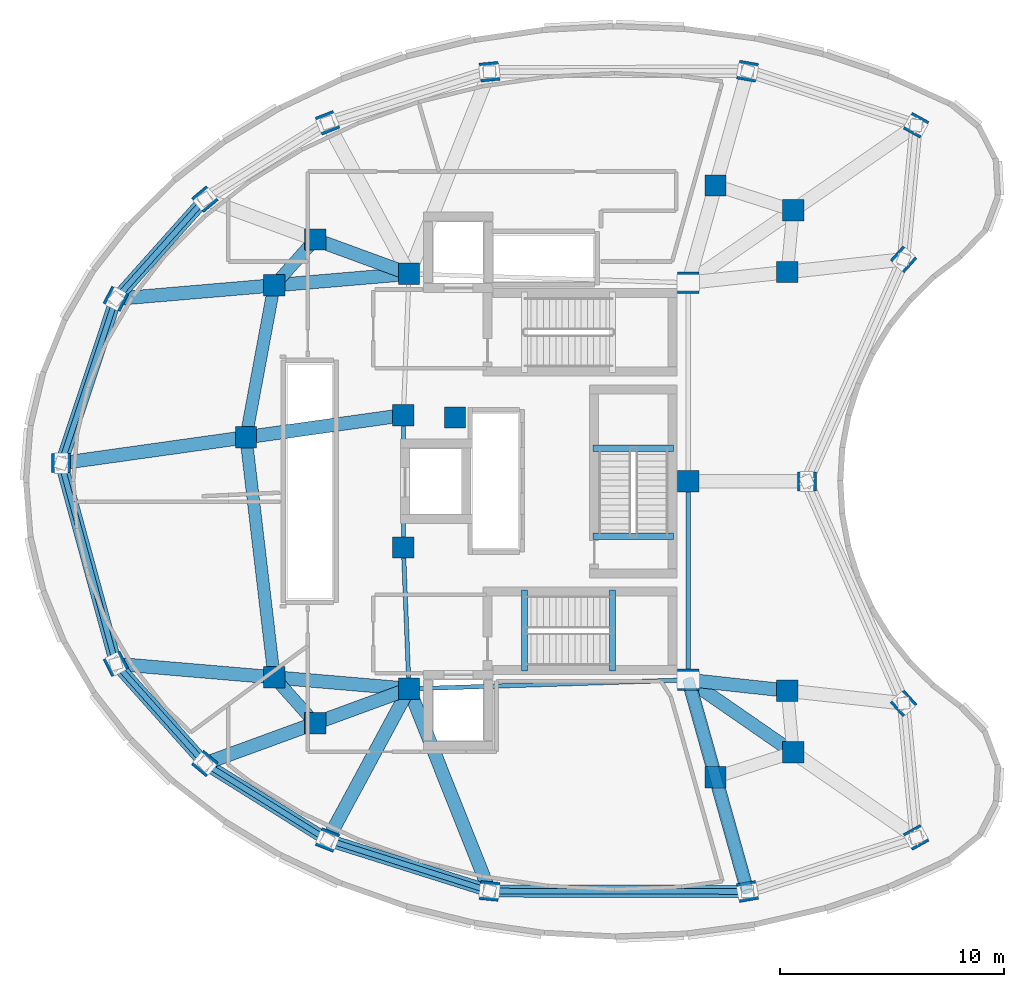
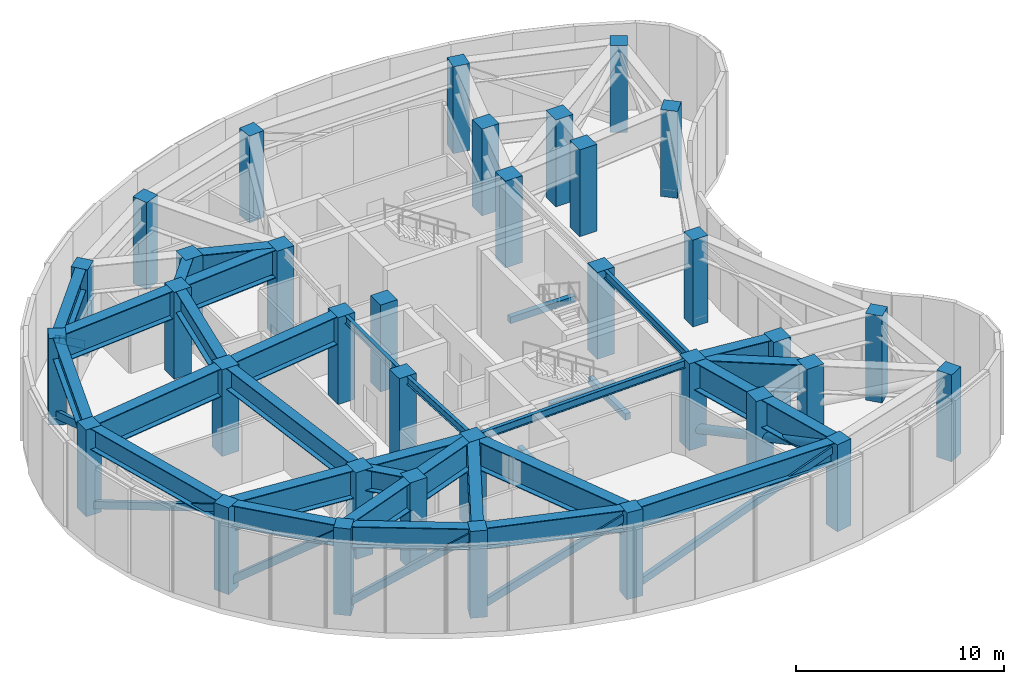
# One storey, part 1 of 9: 35 columns, 34 beams, 8 members.
"""IFC4 building model written with IfcOpenShell, lengths in metres."""

from ifc_helpers import new_model, si_unit, direction, frame, origin, origin_2d, place, context, subcontext, project, spatial, rectangle, hollow_rectangle, hollow_circle, i_section, extrude, material, material_profile, profile_set, type_object, element, save


model = new_model("IFC4")

# Units and contexts
model_context = context("Model", 3, precision=1e-05, world=origin(), true_north=direction((0.0, 1.0)))
body_context = subcontext(model_context, "Body", "Model", "MODEL_VIEW")
ifc_project = project(units=[si_unit("LENGTHUNIT", "METRE"), si_unit("AREAUNIT", "SQUARE_METRE"), si_unit("VOLUMEUNIT", "CUBIC_METRE"), si_unit("PLANEANGLEUNIT", "RADIAN"), si_unit("MASSUNIT", "GRAM", prefix="KILO")], contexts=[model_context])

# Site, building, storey
site_placement = place(None, origin())
site = spatial("IfcSite", under=ifc_project, at=site_placement, CompositionType="ELEMENT")
building_placement = place(site_placement, origin())
building = spatial("IfcBuilding", under=site, at=building_placement, Name="Korentha Bioscience Tower", CompositionType="ELEMENT")
storey_placement = place(building_placement, frame((0.0, 0.0, 277.199951171875)))
storey = spatial("IfcBuildingStorey", under=building, at=storey_placement, Name="L64", CompositionType="ELEMENT", Elevation=277.199951171875)

# Columns
ifc_material_1 = material(Name="Concrete C65", Category="concrete")
ifc_material_profile_1 = material_profile(ifc_material_1, rectangle(XDim=0.949951171875, YDim=0.949951171875, at=origin_2d()), Name="Concrete C65")
ifc_profile_set_1 = profile_set([ifc_material_profile_1], Name="Concrete C65 (COL-CP09)")
column_type_1 = type_object("IfcColumnType", Name="Core Pilaster Column RC 950x950", PredefinedType="PILASTER", material=ifc_profile_set_1)
for number, where, z_axis, x_axis, name in (
    (1, (37.550048828125, 35.85009765625, -0.00048828125), (0.0, 0.0, 1.0), (1.0, 0.0, 0.0), "L64 Core Pilaster CP-01"),
    (2, (25.10009765625, 36.25, -0.00048828125), (0.0, 0.0, 1.0), (1.0, 0.0, 0.0), "L64 Core Pilaster CP-02"),
    (3, (24.85009765625, 29.949951171875, -0.00048828125), (0.0, 0.0, 1.0), (1.0, 0.0, 0.0), "L64 Core Pilaster CP-03"),
    (4, (27.14990234375, 29.85009765625, -0.00048828125), (0.0, 0.0, 1.0), (1.0, 0.0, 0.0), "L64 Core Pilaster CP-04"),
    (5, (24.85009765625, 24.050048828125, -0.00048828125), (0.0, 0.0, 1.0), (1.0, 0.0, 0.0), "L64 Core Pilaster CP-05"),
    (6, (25.10009765625, 17.75, -0.00048828125), (0.0, 0.0, 1.0), (1.0, 0.0, 0.0), "L64 Core Pilaster CP-06"),
    (7, (37.550048828125, 18.14990234375, -0.00048828125), (0.0, 0.0, 1.0), (1.0, 0.0, 0.0), "L64 Core Pilaster CP-07"),
    (8, (37.550048828125, 27.0, -0.00048828125), (0.0, 0.0, 1.0), (1.0, 0.0, 0.0), "L64 Core Pilaster CP-08"),
):
    element("IfcColumn", number, at=place(storey_placement, frame(where, z_axis=z_axis, x_axis=x_axis)), inside=storey, type_object=column_type_1, Name=name, PredefinedType="PILASTER", context=body_context, shape_type="SweptSolid", body=[
        extrude(rectangle(XDim=0.949951171875, YDim=0.949951171875, at=origin_2d()), origin(), (0.0, 0.0, 1.0), 5.10107421875),
    ])
ifc_material_profile_2 = material_profile(ifc_material_1, rectangle(XDim=0.949951171875, YDim=0.949951171875, at=origin_2d()), Name="Concrete C65")
ifc_profile_set_2 = profile_set([ifc_material_profile_2], Name="Concrete C65 (COL-MR09)")
column_type_2 = type_object("IfcColumnType", Name="Mid-Ring Lab Column RC 950x950", PredefinedType="COLUMN", material=ifc_profile_set_2)
for number, where, z_axis, x_axis, name in (
    (9, (42.2216796875, 39.08056640625, -0.00048828125), (0.0, 0.0, 1.0), (1.0, 0.0, 0.0), "L64 Mid-Ring Column 01"),
    (10, (38.76416015625, 40.18896484375, -0.00048828125), (0.0, 0.0, 1.0), (1.0, 0.0, 0.0), "L64 Mid-Ring Column 02"),
    (11, (20.915283203125, 37.78125, -0.00048828125), (0.0, 0.0, 1.0), (1.0, 0.0, 0.0), "L64 Mid-Ring Column 05"),
    (12, (19.08984375, 35.737548828125, -0.00048828125), (0.0, 0.0, 1.0), (1.0, 0.0, 0.0), "L64 Mid-Ring Column 06"),
    (13, (17.833740234375, 28.9658203125, -0.00048828125), (0.0, 0.0, 1.0), (1.0, 0.0, 0.0), "L64 Mid-Ring Column 07"),
    (14, (19.08984375, 18.262451171875, -0.00048828125), (0.0, 0.0, 1.0), (1.0, 0.0, 0.0), "L64 Mid-Ring Column 08"),
    (15, (20.915283203125, 16.21875, -0.00048828125), (0.0, 0.0, 1.0), (1.0, 0.0, 0.0), "L64 Mid-Ring Column 09"),
    (16, (38.76416015625, 13.81103515625, -0.00048828125), (0.0, 0.0, 1.0), (1.0, 0.0, 0.0), "L64 Mid-Ring Column 12"),
    (17, (42.2216796875, 14.91943359375, -0.00048828125), (0.0, 0.0, 1.0), (1.0, 0.0, 0.0), "L64 Mid-Ring Column 13"),
    (18, (41.9638671875, 17.669189453125, -0.00048828125), (0.0, 0.0, 1.0), (1.0, 0.0, 0.0), "L64 Mid-Ring Column 14"),
    (19, (41.9638671875, 36.330810546875, -0.00048828125), (0.0, 0.0, 1.0), (1.0, 0.0, 0.0), "L64 Mid-Ring Column 16"),
):
    element("IfcColumn", number, at=place(storey_placement, frame(where, z_axis=z_axis, x_axis=x_axis)), inside=storey, type_object=column_type_2, Name=name, PredefinedType="COLUMN", context=body_context, shape_type="SweptSolid", body=[
        extrude(rectangle(XDim=0.949951171875, YDim=0.949951171875, at=origin_2d()), origin(), (0.0, 0.0, 1.0), 5.10107421875),
    ])
ifc_material_2 = material(Name="Concrete C50", Category="concrete")
ifc_material_profile_3 = material_profile(ifc_material_2, rectangle(XDim=0.85009765625, YDim=0.85009765625, at=origin_2d()), Name="Concrete C50")
ifc_profile_set_3 = profile_set([ifc_material_profile_3], Name="Concrete C50 (COL-P08)")
column_type_3 = type_object("IfcColumnType", Name="Perimeter Column RC 850x850", PredefinedType="COLUMN", material=ifc_profile_set_3)
for number, where, z_axis, x_axis, name in (
    (20, (47.7060546875, 42.873046875, -0.00048828125), (0.0, 0.0, 1.0), (-0.874535078577, 0.484962262797, 0.0), "L64 Perimeter Column 01"),
    (21, (40.189453125, 45.2822265625, -0.00048828125), (0.0, 0.0, 1.0), (-0.984868307662, 0.173304404339, 0.0), "L64 Perimeter Column 02"),
    (22, (28.68798828125, 45.2607421875, -0.00048828125), (0.0, 0.0, 1.0), (0.995462868748, 0.095150811579, 0.0), "L64 Perimeter Column 03"),
    (23, (21.468505859375, 42.986328125, -0.00048828125), (0.0, 0.0, 1.0), (0.930225540858, 0.366988341962, 0.0), "L64 Perimeter Column 04"),
    (24, (16.002685546875, 39.57861328125, -0.00048828125), (0.0, 0.0, 1.0), (0.764246456939, 0.644924300253, 0.0), "L64 Perimeter Column 05"),
    (25, (12.034423828125, 35.135986328125, -0.00048828125), (0.0, 0.0, 1.0), (0.453057191132, 0.891481453292, 0.0), "L64 Perimeter Column 06"),
    (26, (9.597412109375, 27.810302734375, -0.00048828125), (0.0, 0.0, 1.0), (0.0, 1.0, 0.0), "L64 Perimeter Column 07"),
    (27, (12.034423828125, 18.864013671875, -0.00048828125), (0.0, 0.0, 1.0), (-0.453057191132, 0.891481453292, 0.0), "L64 Perimeter Column 08"),
    (28, (16.002685546875, 14.42138671875, -0.00048828125), (0.0, 0.0, 1.0), (-0.764246456939, 0.644924300253, 0.0), "L64 Perimeter Column 09"),
    (29, (21.468505859375, 11.013671875, -0.00048828125), (0.0, 0.0, 1.0), (-0.930225540858, 0.366988341962, 0.0), "L64 Perimeter Column 10"),
    (30, (28.68798828125, 8.7392578125, -0.00048828125), (0.0, 0.0, 1.0), (-0.995462868748, 0.095150811579, 0.0), "L64 Perimeter Column 11"),
    (31, (40.189453125, 8.7177734375, -0.00048828125), (0.0, 0.0, 1.0), (0.984868307662, 0.173304404339, 0.0), "L64 Perimeter Column 12"),
    (32, (47.7060546875, 11.126953125, -0.00048828125), (0.0, 0.0, 1.0), (0.874535078577, 0.484962262797, 0.0), "L64 Perimeter Column 13"),
    (33, (47.1455078125, 17.1044921875, -0.00048828125), (0.0, 0.0, 1.0), (-0.669130606359, 0.743144825477, 0.0), "L64 Perimeter Column 14"),
    (34, (42.833984375, 27.0, -0.00048828125), (0.0, 0.0, 1.0), (0.0, 1.0, 0.0), "L64 Perimeter Column 15"),
    (35, (47.1455078125, 36.8955078125, -0.00048828125), (0.0, 0.0, 1.0), (0.669130606359, 0.743144825477, 0.0), "L64 Perimeter Column 16"),
):
    element("IfcColumn", number, at=place(storey_placement, frame(where, z_axis=z_axis, x_axis=x_axis)), inside=storey, type_object=column_type_3, Name=name, PredefinedType="COLUMN", context=body_context, shape_type="SweptSolid", body=[
        extrude(rectangle(XDim=0.85009765625, YDim=0.85009765625, at=origin_2d()), origin(), (0.0, 0.0, 1.0), 5.10107421875),
    ])

# Members
ifc_material_3 = material(Name="Steel S355", Category="steel")
ifc_material_profile_4 = material_profile(ifc_material_3, hollow_rectangle(XDim=0.25, YDim=0.39990234375, WallThickness=0.02001953125, at=origin_2d()), Name="Steel S355")
ifc_profile_set_4 = profile_set([ifc_material_profile_4], Name="Steel S355 (BT-D400)")
member_type_1 = type_object("IfcMemberType", Name="Belt-Truss Web Diagonal RHS 400x250x20", PredefinedType="BRACE", material=ifc_profile_set_4)
member_1_placement = place(storey_placement, frame((16.002685546875, 39.57861328125, 0.35009765625), z_axis=(-0.535844785894, -0.599899567424, 0.594130351383), x_axis=(0.745801660086, -0.666168059737, 0.0)))
element("IfcMember", 36, at=member_1_placement, inside=storey, type_object=member_type_1, Name="L64 Perimeter Belt-Truss Diagonal 05", PredefinedType="BRACE", context=body_context, shape_type="SweptSolid", body=[
    extrude(hollow_rectangle(XDim=0.25, YDim=0.39990234375, WallThickness=0.02001953125, at=origin_2d()), origin(), (0.0, 0.0, 1.0), 7.405517578125),
])
member_2_placement = place(storey_placement, frame((12.034423828125, 35.135986328125, 0.35009765625), z_axis=(-0.274248069246, -0.824392663373, 0.495141124419), x_axis=(0.948872863913, -0.315658499219, 0.0)))
element("IfcMember", 37, at=member_2_placement, inside=storey, type_object=member_type_1, Name="L64 Perimeter Belt-Truss Diagonal 06", PredefinedType="BRACE", context=body_context, shape_type="SweptSolid", body=[
    extrude(hollow_rectangle(XDim=0.25, YDim=0.39990234375, WallThickness=0.02001953125, at=origin_2d()), origin(), (0.0, 0.0, 1.0), 8.88623046875),
])
member_3_placement = place(storey_placement, frame((9.597412109375, 27.810302734375, 0.35009765625), z_axis=(0.23745034456, -0.871682070332, 0.428704679389), x_axis=(0.964842768274, 0.26282776206, 0.0)))
element("IfcMember", 38, at=member_3_placement, inside=storey, type_object=member_type_1, Name="L64 Perimeter Belt-Truss Diagonal 07", PredefinedType="BRACE", context=body_context, shape_type="SweptSolid", body=[
    extrude(hollow_rectangle(XDim=0.25, YDim=0.39990234375, WallThickness=0.02001953125, at=origin_2d()), origin(), (0.0, 0.0, 1.0), 10.26318359375),
])
member_4_placement = place(storey_placement, frame((12.034423828125, 18.864013671875, 0.35009765625), z_axis=(0.535844785894, -0.599899567424, 0.594130351383), x_axis=(0.745801660086, 0.666168059737, 0.0)))
element("IfcMember", 39, at=member_4_placement, inside=storey, type_object=member_type_1, Name="L64 Perimeter Belt-Truss Diagonal 08", PredefinedType="BRACE", context=body_context, shape_type="SweptSolid", body=[
    extrude(hollow_rectangle(XDim=0.25, YDim=0.39990234375, WallThickness=0.02001953125, at=origin_2d()), origin(), (0.0, 0.0, 1.0), 7.405517578125),
])
member_5_placement = place(storey_placement, frame((16.002685546875, 14.42138671875, 0.35009765625), z_axis=(0.70070673259, -0.436861915914, 0.564058278307), x_axis=(0.529058264482, 0.848585501162, 0.0)))
element("IfcMember", 40, at=member_5_placement, inside=storey, type_object=member_type_1, Name="L64 Perimeter Belt-Truss Diagonal 09", PredefinedType="BRACE", context=body_context, shape_type="SweptSolid", body=[
    extrude(hollow_rectangle(XDim=0.25, YDim=0.39990234375, WallThickness=0.02001953125, at=origin_2d()), origin(), (0.0, 0.0, 1.0), 7.800537109375),
])
member_6_placement = place(storey_placement, frame((21.468505859375, 11.013671875, 0.35009765625), z_axis=(0.824596353922, -0.259779501307, 0.502548966568), x_axis=(0.300479877118, 0.953788154386, 0.0)))
element("IfcMember", 41, at=member_6_placement, inside=storey, type_object=member_type_1, Name="L64 Perimeter Belt-Truss Diagonal 10", PredefinedType="BRACE", context=body_context, shape_type="SweptSolid", body=[
    extrude(hollow_rectangle(XDim=0.25, YDim=0.39990234375, WallThickness=0.02001953125, at=origin_2d()), origin(), (0.0, 0.0, 1.0), 8.755126953125),
])
member_7_placement = place(storey_placement, frame((28.68798828125, 8.7392578125, 0.35009765625), z_axis=(0.933988543115, -0.001744661257, 0.357298695054), x_axis=(0.001867965325, 0.999998255351, 0.0)))
element("IfcMember", 42, at=member_7_placement, inside=storey, type_object=member_type_1, Name="L64 Perimeter Belt-Truss Diagonal 11", PredefinedType="BRACE", context=body_context, shape_type="SweptSolid", body=[
    extrude(hollow_rectangle(XDim=0.25, YDim=0.39990234375, WallThickness=0.02001953125, at=origin_2d()), origin(), (0.0, 0.0, 1.0), 12.314453125),
])

# Beams
ifc_material_profile_5 = material_profile(ifc_material_2, rectangle(XDim=0.280029296875, YDim=0.3798828125, at=origin_2d()), Name="Concrete C50")
ifc_profile_set_5 = profile_set([ifc_material_profile_5], Name="Concrete C50 (ST-HB380)")
beam_type_1 = type_object("IfcBeamType", Name="Concrete Stair Header Beam RC 280x380", PredefinedType="BEAM", material=ifc_profile_set_5)
for number, where, z_axis, x_axis, name in (
    (43, (30.25, 18.550048828125, -0.18994140625), (0.0, 1.0, 0.0), (-1.0, 0.0, 0.0), "L64 ST-2 Concrete Stair Header Beam"),
    (44, (34.169921875, 18.550048828125, 2.510009765625), (0.0, 1.0, 0.0), (-1.0, 0.0, 0.0), "L64 ST-2 Half-Landing Header Beam 1"),
    (45, (36.89990234375, 24.550048828125, -0.18994140625), (-1.0, 0.0, 0.0), (0.0, -1.0, 0.0), "L64 ST-3 Concrete Stair Header Beam"),
    (46, (36.89990234375, 28.469970703125, 2.510009765625), (-1.0, 0.0, 0.0), (0.0, -1.0, 0.0), "L64 ST-3 Half-Landing Header Beam 1"),
):
    element("IfcBeam", number, at=place(storey_placement, frame(where, z_axis=z_axis, x_axis=x_axis)), inside=storey, type_object=beam_type_1, Name=name, PredefinedType="BEAM", context=body_context, shape_type="SweptSolid", body=[
        extrude(rectangle(XDim=0.280029296875, YDim=0.3798828125, at=origin_2d()), origin(), (0.0, 0.0, 1.0), 3.599853515625),
    ])
ifc_material_profile_6 = material_profile(ifc_material_3, i_section(OverallWidth=0.550048828125, OverallDepth=1.25, WebThickness=0.02392578125, FlangeThickness=0.0400390625, at=origin_2d()), Name="Steel S355")
ifc_profile_set_6 = profile_set([ifc_material_profile_6], Name="Steel S355 (TG-03)")
beam_type_2 = type_object("IfcBeamType", Name="Crown Step Transfer Girder CVS 1250x510", PredefinedType="USERDEFINED", material=ifc_profile_set_6)
beam_1_placement = place(storey_placement, frame((20.915283203125, 37.78125, 4.47509765625), z_axis=(-0.666159168073, -0.745809602239, 0.0), x_axis=(0.745809602239, -0.666159168073, 0.0)))
element("IfcBeam", 47, at=beam_1_placement, inside=storey, type_object=beam_type_2, Name="L64 Mid-Ring Tie Girder 05", ObjectType="TRANSFER_GIRDER", PredefinedType="USERDEFINED", context=body_context, shape_type="SweptSolid", body=[
    extrude(i_section(OverallWidth=0.550048828125, OverallDepth=1.25, WebThickness=0.02392578125, FlangeThickness=0.0400390625, at=origin_2d()), origin(), (0.0, 0.0, 1.0), 2.740234375),
])
beam_2_placement = place(storey_placement, frame((19.08984375, 35.737548828125, 4.47509765625), z_axis=(-0.182381206512, -0.98322789602, 0.0), x_axis=(0.98322789602, -0.182381206512, 0.0)))
element("IfcBeam", 48, at=beam_2_placement, inside=storey, type_object=beam_type_2, Name="L64 Mid-Ring Tie Girder 06", ObjectType="TRANSFER_GIRDER", PredefinedType="USERDEFINED", context=body_context, shape_type="SweptSolid", body=[
    extrude(i_section(OverallWidth=0.550048828125, OverallDepth=1.25, WebThickness=0.02392578125, FlangeThickness=0.0400390625, at=origin_2d()), origin(), (0.0, 0.0, 1.0), 6.88720703125),
])
beam_3_placement = place(storey_placement, frame((17.833740234375, 28.9658203125, 4.47509765625), z_axis=(0.116556015935, -0.993184119461, 0.0), x_axis=(0.993184119461, 0.116556015935, 0.0)))
element("IfcBeam", 49, at=beam_3_placement, inside=storey, type_object=beam_type_2, Name="L64 Mid-Ring Tie Girder 07", ObjectType="TRANSFER_GIRDER", PredefinedType="USERDEFINED", context=body_context, shape_type="SweptSolid", body=[
    extrude(i_section(OverallWidth=0.550048828125, OverallDepth=1.25, WebThickness=0.02392578125, FlangeThickness=0.0400390625, at=origin_2d()), origin(), (0.0, 0.0, 1.0), 10.77685546875),
])
beam_4_placement = place(storey_placement, frame((19.08984375, 18.262451171875, 4.47509765625), z_axis=(0.666159168073, -0.745809602239, 0.0), x_axis=(0.745809602239, 0.666159168073, 0.0)))
element("IfcBeam", 50, at=beam_4_placement, inside=storey, type_object=beam_type_2, Name="L64 Mid-Ring Tie Girder 08", ObjectType="TRANSFER_GIRDER", PredefinedType="USERDEFINED", context=body_context, shape_type="SweptSolid", body=[
    extrude(i_section(OverallWidth=0.550048828125, OverallDepth=1.25, WebThickness=0.02392578125, FlangeThickness=0.0400390625, at=origin_2d()), origin(), (0.0, 0.0, 1.0), 2.740234375),
])
beam_5_placement = place(storey_placement, frame((16.002685546875, 39.57861328125, 4.47509765625), z_axis=(-0.666168059737, -0.745801660086, 0.0), x_axis=(0.745801660086, -0.666168059737, 0.0)))
element("IfcBeam", 51, at=beam_5_placement, inside=storey, type_object=beam_type_2, Name="L64 Perimeter Spandrel Girder 05", ObjectType="TRANSFER_GIRDER", PredefinedType="USERDEFINED", context=body_context, shape_type="SweptSolid", body=[
    extrude(i_section(OverallWidth=0.550048828125, OverallDepth=1.25, WebThickness=0.02392578125, FlangeThickness=0.0400390625, at=origin_2d()), origin(), (0.0, 0.0, 1.0), 5.956787109375),
])
beam_6_placement = place(storey_placement, frame((12.034423828125, 35.135986328125, 4.47509765625), z_axis=(-0.315658499219, -0.948872863913, 0.0), x_axis=(0.948872863913, -0.315658499219, 0.0)))
element("IfcBeam", 52, at=beam_6_placement, inside=storey, type_object=beam_type_2, Name="L64 Perimeter Spandrel Girder 06", ObjectType="TRANSFER_GIRDER", PredefinedType="USERDEFINED", context=body_context, shape_type="SweptSolid", body=[
    extrude(i_section(OverallWidth=0.550048828125, OverallDepth=1.25, WebThickness=0.02392578125, FlangeThickness=0.0400390625, at=origin_2d()), origin(), (0.0, 0.0, 1.0), 7.720458984375),
])
beam_7_placement = place(storey_placement, frame((9.597412109375, 27.810302734375, 4.47509765625), z_axis=(0.26282776206, -0.964842768274, 0.0), x_axis=(0.964842768274, 0.26282776206, 0.0)))
element("IfcBeam", 53, at=beam_7_placement, inside=storey, type_object=beam_type_2, Name="L64 Perimeter Spandrel Girder 07", ObjectType="TRANSFER_GIRDER", PredefinedType="USERDEFINED", context=body_context, shape_type="SweptSolid", body=[
    extrude(i_section(OverallWidth=0.550048828125, OverallDepth=1.25, WebThickness=0.02392578125, FlangeThickness=0.0400390625, at=origin_2d()), origin(), (0.0, 0.0, 1.0), 9.272216796875),
])
beam_8_placement = place(storey_placement, frame((12.034423828125, 18.864013671875, 4.47509765625), z_axis=(0.666168059737, -0.745801660086, 0.0), x_axis=(0.745801660086, 0.666168059737, 0.0)))
element("IfcBeam", 54, at=beam_8_placement, inside=storey, type_object=beam_type_2, Name="L64 Perimeter Spandrel Girder 08", ObjectType="TRANSFER_GIRDER", PredefinedType="USERDEFINED", context=body_context, shape_type="SweptSolid", body=[
    extrude(i_section(OverallWidth=0.550048828125, OverallDepth=1.25, WebThickness=0.02392578125, FlangeThickness=0.0400390625, at=origin_2d()), origin(), (0.0, 0.0, 1.0), 5.956787109375),
])
beam_9_placement = place(storey_placement, frame((16.002685546875, 14.42138671875, 4.47509765625), z_axis=(0.848585501162, -0.529058264482, 0.0), x_axis=(0.529058264482, 0.848585501162, 0.0)))
element("IfcBeam", 55, at=beam_9_placement, inside=storey, type_object=beam_type_2, Name="L64 Perimeter Spandrel Girder 09", ObjectType="TRANSFER_GIRDER", PredefinedType="USERDEFINED", context=body_context, shape_type="SweptSolid", body=[
    extrude(i_section(OverallWidth=0.550048828125, OverallDepth=1.25, WebThickness=0.02392578125, FlangeThickness=0.0400390625, at=origin_2d()), origin(), (0.0, 0.0, 1.0), 6.441162109375),
])
beam_10_placement = place(storey_placement, frame((21.468505859375, 11.013671875, 4.47509765625), z_axis=(0.953788154386, -0.300479877118, 0.0), x_axis=(0.300479877118, 0.953788154386, 0.0)))
element("IfcBeam", 56, at=beam_10_placement, inside=storey, type_object=beam_type_2, Name="L64 Perimeter Spandrel Girder 10", ObjectType="TRANSFER_GIRDER", PredefinedType="USERDEFINED", context=body_context, shape_type="SweptSolid", body=[
    extrude(i_section(OverallWidth=0.550048828125, OverallDepth=1.25, WebThickness=0.02392578125, FlangeThickness=0.0400390625, at=origin_2d()), origin(), (0.0, 0.0, 1.0), 7.5693359375),
])
beam_11_placement = place(storey_placement, frame((28.68798828125, 8.7392578125, 4.47509765625), z_axis=(0.999998255351, -0.001867965325, 0.0), x_axis=(0.001867965325, 0.999998255351, 0.0)))
element("IfcBeam", 57, at=beam_11_placement, inside=storey, type_object=beam_type_2, Name="L64 Perimeter Spandrel Girder 11", ObjectType="TRANSFER_GIRDER", PredefinedType="USERDEFINED", context=body_context, shape_type="SweptSolid", body=[
    extrude(i_section(OverallWidth=0.550048828125, OverallDepth=1.25, WebThickness=0.02392578125, FlangeThickness=0.0400390625, at=origin_2d()), origin(), (0.0, 0.0, 1.0), 11.50146484375),
])
ifc_material_profile_7 = material_profile(ifc_material_3, i_section(OverallWidth=0.60009765625, OverallDepth=1.64990234375, WebThickness=0.02587890625, FlangeThickness=0.0439453125, at=origin_2d()), Name="Steel S355")
ifc_profile_set_7 = profile_set([ifc_material_profile_7], Name="Steel S355 (TG-04)")
beam_type_3 = type_object("IfcBeamType", Name="Deep Setback Transfer Girder CVS 1650x620", PredefinedType="USERDEFINED", material=ifc_profile_set_7)
beam_12_placement = place(storey_placement, frame((25.10009765625, 36.25, 4.275146484375), z_axis=(-0.939106897866, 0.343625136422, 0.0), x_axis=(-0.343625136422, -0.939106897866, 0.0)))
element("IfcBeam", 58, at=beam_12_placement, inside=storey, type_object=beam_type_3, Name="L64 Inner Radial Transfer Girder 05", ObjectType="TRANSFER_GIRDER", PredefinedType="USERDEFINED", context=body_context, shape_type="SweptSolid", body=[
    extrude(i_section(OverallWidth=0.60009765625, OverallDepth=1.64990234375, WebThickness=0.02587890625, FlangeThickness=0.0439453125, at=origin_2d()), origin(), (0.0, 0.0, 1.0), 4.4560546875),
])
beam_13_placement = place(storey_placement, frame((25.10009765625, 36.25, 4.275146484375), z_axis=(-0.996384825277, -0.084954575849, 0.0), x_axis=(0.084954575849, -0.996384825277, 0.0)))
element("IfcBeam", 59, at=beam_13_placement, inside=storey, type_object=beam_type_3, Name="L64 Inner Radial Transfer Girder 06", ObjectType="TRANSFER_GIRDER", PredefinedType="USERDEFINED", context=body_context, shape_type="SweptSolid", body=[
    extrude(i_section(OverallWidth=0.60009765625, OverallDepth=1.64990234375, WebThickness=0.02587890625, FlangeThickness=0.0439453125, at=origin_2d()), origin(), (0.0, 0.0, 1.0), 6.031982421875),
])
beam_14_placement = place(storey_placement, frame((19.08984375, 35.737548828125, 4.275146484375), z_axis=(-0.996384854796, -0.084954229635, 0.0), x_axis=(0.084954229635, -0.996384854796, 0.0)))
element("IfcBeam", 60, at=beam_14_placement, inside=storey, type_object=beam_type_3, Name="L64 Outer Radial Transfer Girder 06", ObjectType="TRANSFER_GIRDER", PredefinedType="USERDEFINED", context=body_context, shape_type="SweptSolid", body=[
    extrude(i_section(OverallWidth=0.60009765625, OverallDepth=1.64990234375, WebThickness=0.02587890625, FlangeThickness=0.0439453125, at=origin_2d()), origin(), (0.0, 0.0, 1.0), 7.0810546875),
])
beam_15_placement = place(storey_placement, frame((24.85009765625, 29.949951171875, 4.275146484375), z_axis=(-0.990306038615, -0.138902663338, 0.0), x_axis=(0.138902663338, -0.990306038615, 0.0)))
element("IfcBeam", 61, at=beam_15_placement, inside=storey, type_object=beam_type_3, Name="L64 Inner Radial Transfer Girder 07", ObjectType="TRANSFER_GIRDER", PredefinedType="USERDEFINED", context=body_context, shape_type="SweptSolid", body=[
    extrude(i_section(OverallWidth=0.60009765625, OverallDepth=1.64990234375, WebThickness=0.02587890625, FlangeThickness=0.0439453125, at=origin_2d()), origin(), (0.0, 0.0, 1.0), 7.0849609375),
])
beam_16_placement = place(storey_placement, frame((17.833740234375, 28.9658203125, 4.275146484375), z_axis=(-0.990301560164, -0.138934588696, 0.0), x_axis=(0.138934588696, -0.990301560164, 0.0)))
element("IfcBeam", 62, at=beam_16_placement, inside=storey, type_object=beam_type_3, Name="L64 Outer Radial Transfer Girder 07", ObjectType="TRANSFER_GIRDER", PredefinedType="USERDEFINED", context=body_context, shape_type="SweptSolid", body=[
    extrude(i_section(OverallWidth=0.60009765625, OverallDepth=1.64990234375, WebThickness=0.02587890625, FlangeThickness=0.0439453125, at=origin_2d()), origin(), (0.0, 0.0, 1.0), 8.31689453125),
])
beam_17_placement = place(storey_placement, frame((25.10009765625, 17.75, 4.275146484375), z_axis=(-0.996384825277, 0.084954575849, 0.0), x_axis=(-0.084954575849, -0.996384825277, 0.0)))
element("IfcBeam", 63, at=beam_17_placement, inside=storey, type_object=beam_type_3, Name="L64 Inner Radial Transfer Girder 08", ObjectType="TRANSFER_GIRDER", PredefinedType="USERDEFINED", context=body_context, shape_type="SweptSolid", body=[
    extrude(i_section(OverallWidth=0.60009765625, OverallDepth=1.64990234375, WebThickness=0.02587890625, FlangeThickness=0.0439453125, at=origin_2d()), origin(), (0.0, 0.0, 1.0), 6.031982421875),
])
beam_18_placement = place(storey_placement, frame((19.08984375, 18.262451171875, 4.275146484375), z_axis=(-0.996384854796, 0.084954229635, 0.0), x_axis=(-0.084954229635, -0.996384854796, 0.0)))
element("IfcBeam", 64, at=beam_18_placement, inside=storey, type_object=beam_type_3, Name="L64 Outer Radial Transfer Girder 08", ObjectType="TRANSFER_GIRDER", PredefinedType="USERDEFINED", context=body_context, shape_type="SweptSolid", body=[
    extrude(i_section(OverallWidth=0.60009765625, OverallDepth=1.64990234375, WebThickness=0.02587890625, FlangeThickness=0.0439453125, at=origin_2d()), origin(), (0.0, 0.0, 1.0), 7.0810546875),
])
beam_19_placement = place(storey_placement, frame((25.10009765625, 17.75, 4.275146484375), z_axis=(-0.939106897866, -0.343625136422, 0.0), x_axis=(0.343625136422, -0.939106897866, 0.0)))
element("IfcBeam", 65, at=beam_19_placement, inside=storey, type_object=beam_type_3, Name="L64 Inner Radial Transfer Girder 09", ObjectType="TRANSFER_GIRDER", PredefinedType="USERDEFINED", context=body_context, shape_type="SweptSolid", body=[
    extrude(i_section(OverallWidth=0.60009765625, OverallDepth=1.64990234375, WebThickness=0.02587890625, FlangeThickness=0.0439453125, at=origin_2d()), origin(), (0.0, 0.0, 1.0), 4.4560546875),
])
beam_20_placement = place(storey_placement, frame((20.915283203125, 16.21875, 4.275146484375), z_axis=(-0.939118444477, -0.343593578583, 0.0), x_axis=(0.343593578583, -0.939118444477, 0.0)))
element("IfcBeam", 66, at=beam_20_placement, inside=storey, type_object=beam_type_3, Name="L64 Outer Radial Transfer Girder 09", ObjectType="TRANSFER_GIRDER", PredefinedType="USERDEFINED", context=body_context, shape_type="SweptSolid", body=[
    extrude(i_section(OverallWidth=0.60009765625, OverallDepth=1.64990234375, WebThickness=0.02587890625, FlangeThickness=0.0439453125, at=origin_2d()), origin(), (0.0, 0.0, 1.0), 5.23095703125),
])
beam_21_placement = place(storey_placement, frame((25.10009765625, 17.75, 4.275146484375), z_axis=(-0.474539218542, -0.880234360875, 0.0), x_axis=(0.880234360875, -0.474539218542, 0.0)))
element("IfcBeam", 67, at=beam_21_placement, inside=storey, type_object=beam_type_3, Name="L64 Radial Transfer Girder 10", ObjectType="TRANSFER_GIRDER", PredefinedType="USERDEFINED", context=body_context, shape_type="SweptSolid", body=[
    extrude(i_section(OverallWidth=0.60009765625, OverallDepth=1.64990234375, WebThickness=0.02587890625, FlangeThickness=0.0439453125, at=origin_2d()), origin(), (0.0, 0.0, 1.0), 7.65283203125),
])
beam_22_placement = place(storey_placement, frame((25.10009765625, 17.75, 4.275146484375), z_axis=(0.369931961537, -0.929058848423, 0.0), x_axis=(0.929058848423, 0.369931961537, 0.0)))
element("IfcBeam", 68, at=beam_22_placement, inside=storey, type_object=beam_type_3, Name="L64 Radial Transfer Girder 11", ObjectType="TRANSFER_GIRDER", PredefinedType="USERDEFINED", context=body_context, shape_type="SweptSolid", body=[
    extrude(i_section(OverallWidth=0.60009765625, OverallDepth=1.64990234375, WebThickness=0.02587890625, FlangeThickness=0.0439453125, at=origin_2d()), origin(), (0.0, 0.0, 1.0), 9.69873046875),
])
beam_23_placement = place(storey_placement, frame((37.550048828125, 18.14990234375, 4.275146484375), z_axis=(0.269471139951, -0.963008465556, 0.0), x_axis=(0.963008465556, 0.269471139951, 0.0)))
element("IfcBeam", 69, at=beam_23_placement, inside=storey, type_object=beam_type_3, Name="L64 Inner Radial Transfer Girder 12", ObjectType="TRANSFER_GIRDER", PredefinedType="USERDEFINED", context=body_context, shape_type="SweptSolid", body=[
    extrude(i_section(OverallWidth=0.60009765625, OverallDepth=1.64990234375, WebThickness=0.02587890625, FlangeThickness=0.0439453125, at=origin_2d()), origin(), (0.0, 0.0, 1.0), 4.505615234375),
])
beam_24_placement = place(storey_placement, frame((38.76416015625, 13.81103515625, 4.275146484375), z_axis=(0.26948609841, -0.963004279723, 0.0), x_axis=(0.963004279723, 0.26948609841, 0.0)))
element("IfcBeam", 70, at=beam_24_placement, inside=storey, type_object=beam_type_3, Name="L64 Outer Radial Transfer Girder 12", ObjectType="TRANSFER_GIRDER", PredefinedType="USERDEFINED", context=body_context, shape_type="SweptSolid", body=[
    extrude(i_section(OverallWidth=0.60009765625, OverallDepth=1.64990234375, WebThickness=0.02587890625, FlangeThickness=0.0439453125, at=origin_2d()), origin(), (0.0, 0.0, 1.0), 5.288818359375),
])
beam_25_placement = place(storey_placement, frame((37.550048828125, 18.14990234375, 4.275146484375), z_axis=(0.822500009141, -0.56876509647, 0.0), x_axis=(0.56876509647, 0.822500009141, 0.0)))
element("IfcBeam", 71, at=beam_25_placement, inside=storey, type_object=beam_type_3, Name="L64 Inner Radial Transfer Girder 13", ObjectType="TRANSFER_GIRDER", PredefinedType="USERDEFINED", context=body_context, shape_type="SweptSolid", body=[
    extrude(i_section(OverallWidth=0.60009765625, OverallDepth=1.64990234375, WebThickness=0.02587890625, FlangeThickness=0.0439453125, at=origin_2d()), origin(), (0.0, 0.0, 1.0), 5.6796875),
])
beam_26_placement = place(storey_placement, frame((37.550048828125, 18.14990234375, 4.275146484375), z_axis=(0.994121454153, -0.108270653423, 0.0), x_axis=(0.108270653423, 0.994121454153, 0.0)))
element("IfcBeam", 72, at=beam_26_placement, inside=storey, type_object=beam_type_3, Name="L64 Inner Radial Transfer Girder 14", ObjectType="TRANSFER_GIRDER", PredefinedType="USERDEFINED", context=body_context, shape_type="SweptSolid", body=[
    extrude(i_section(OverallWidth=0.60009765625, OverallDepth=1.64990234375, WebThickness=0.02587890625, FlangeThickness=0.0439453125, at=origin_2d()), origin(), (0.0, 0.0, 1.0), 4.43994140625),
])
ifc_material_profile_8 = material_profile(ifc_material_3, i_section(OverallWidth=0.18994140625, OverallDepth=0.45703125, WebThickness=0.009033203125, FlangeThickness=0.014404296875, at=origin_2d()), Name="Steel S355")
ifc_profile_set_8 = profile_set([ifc_material_profile_8], Name="Steel S355 (MB-460)")
beam_type_4 = type_object("IfcBeamType", Name="Mid-Ring Tie Girder W460x74", PredefinedType="BEAM", material=ifc_profile_set_8)
beam_27_placement = place(storey_placement, frame((24.85009765625, 29.949951171875, 4.87158203125), z_axis=(0.0, -1.0, 0.0), x_axis=(1.0, 0.0, 0.0)))
element("IfcBeam", 73, at=beam_27_placement, inside=storey, type_object=beam_type_4, Name="L64 Core Ring Tie Girder 03", PredefinedType="BEAM", context=body_context, shape_type="SweptSolid", body=[
    extrude(i_section(OverallWidth=0.18994140625, OverallDepth=0.45703125, WebThickness=0.009033203125, FlangeThickness=0.014404296875, at=origin_2d()), origin(), (0.0, 0.0, 1.0), 5.89990234375),
])
beam_28_placement = place(storey_placement, frame((24.85009765625, 24.050048828125, 4.87158203125), z_axis=(0.039651025576, -0.999213588864, 0.0), x_axis=(0.999213588864, 0.039651025576, 0.0)))
element("IfcBeam", 74, at=beam_28_placement, inside=storey, type_object=beam_type_4, Name="L64 Core Ring Tie Girder 04", PredefinedType="BEAM", context=body_context, shape_type="SweptSolid", body=[
    extrude(i_section(OverallWidth=0.18994140625, OverallDepth=0.45703125, WebThickness=0.009033203125, FlangeThickness=0.014404296875, at=origin_2d()), origin(), (0.0, 0.0, 1.0), 6.304931640625),
])
beam_29_placement = place(storey_placement, frame((25.10009765625, 17.75, 4.87158203125), z_axis=(0.999484526071, 0.032104238723, 0.0), x_axis=(-0.032104238723, 0.999484526071, 0.0)))
element("IfcBeam", 75, at=beam_29_placement, inside=storey, type_object=beam_type_4, Name="L64 Core Ring Tie Girder 05", PredefinedType="BEAM", context=body_context, shape_type="SweptSolid", body=[
    extrude(i_section(OverallWidth=0.18994140625, OverallDepth=0.45703125, WebThickness=0.009033203125, FlangeThickness=0.014404296875, at=origin_2d()), origin(), (0.0, 0.0, 1.0), 12.456298828125),
])
beam_30_placement = place(storey_placement, frame((37.550048828125, 18.14990234375, 4.87158203125), z_axis=(0.0, 1.0, 0.0), x_axis=(-1.0, 0.0, 0.0)))
element("IfcBeam", 76, at=beam_30_placement, inside=storey, type_object=beam_type_4, Name="L64 Core Ring Tie Girder 06", PredefinedType="BEAM", context=body_context, shape_type="SweptSolid", body=[
    extrude(i_section(OverallWidth=0.18994140625, OverallDepth=0.45703125, WebThickness=0.009033203125, FlangeThickness=0.014404296875, at=origin_2d()), origin(), (0.0, 0.0, 1.0), 8.85009765625),
])

# Member
ifc_material_profile_9 = material_profile(ifc_material_3, hollow_circle(Radius=0.25390625, WallThickness=0.02490234375, at=origin_2d()), Name="Steel S355")
ifc_profile_set_9 = profile_set([ifc_material_profile_9], Name="Steel S355 (OU-508)")
member_type_2 = type_object("IfcMemberType", Name="Outrigger Diagonal Brace CHS 508x25", PredefinedType="USERDEFINED", material=ifc_profile_set_9)
member_8_placement = place(storey_placement, frame((37.550048828125, 18.14990234375, 0.900146484375), z_axis=(0.251664176865, -0.899342688836, 0.357558205221), x_axis=(0.96300620527, 0.269479217404, 0.0)))
element("IfcMember", 77, at=member_8_placement, inside=storey, type_object=member_type_2, Name="L64 Outrigger Truss Diagonal 03", ObjectType="OUTRIGGER", PredefinedType="USERDEFINED", context=body_context, shape_type="SweptSolid", body=[
    extrude(hollow_circle(Radius=0.25390625, WallThickness=0.02490234375, at=origin_2d()), origin(), (0.0, 0.0, 1.0), 10.48779296875),
])

save(model, "model.ifc")
